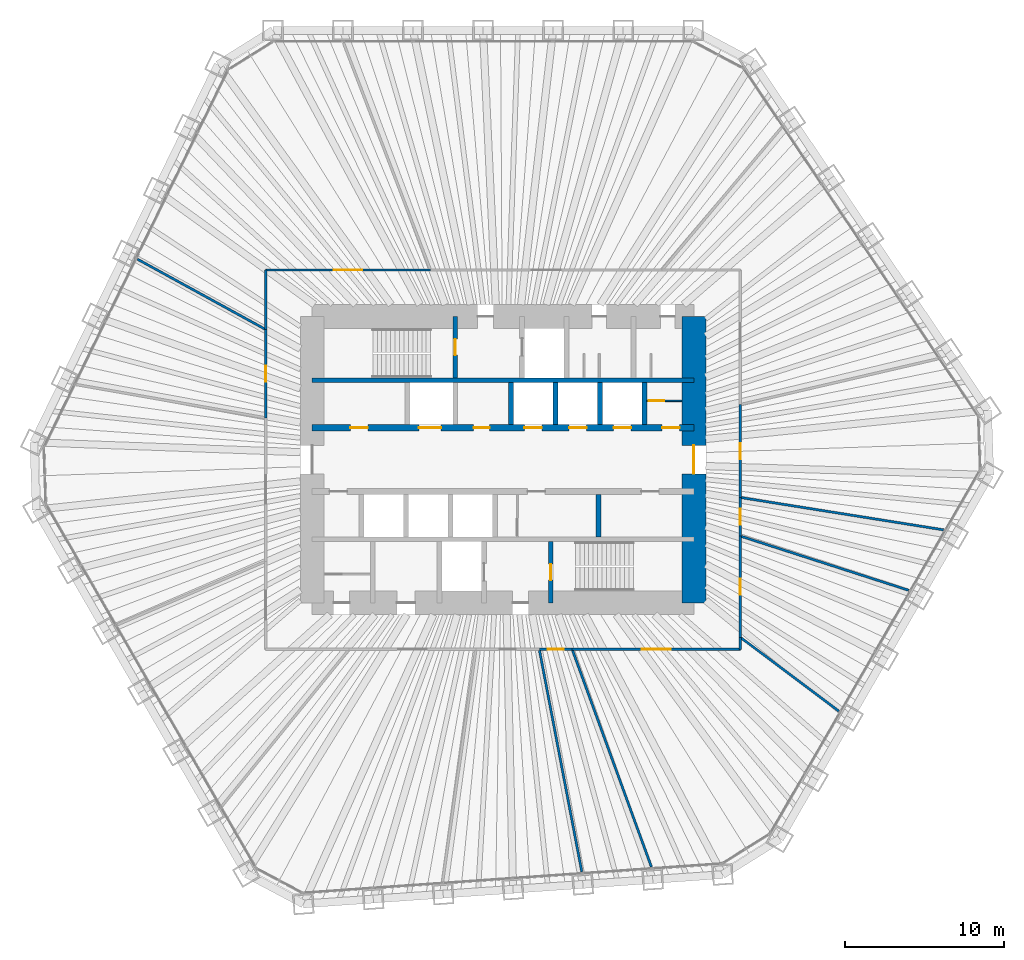
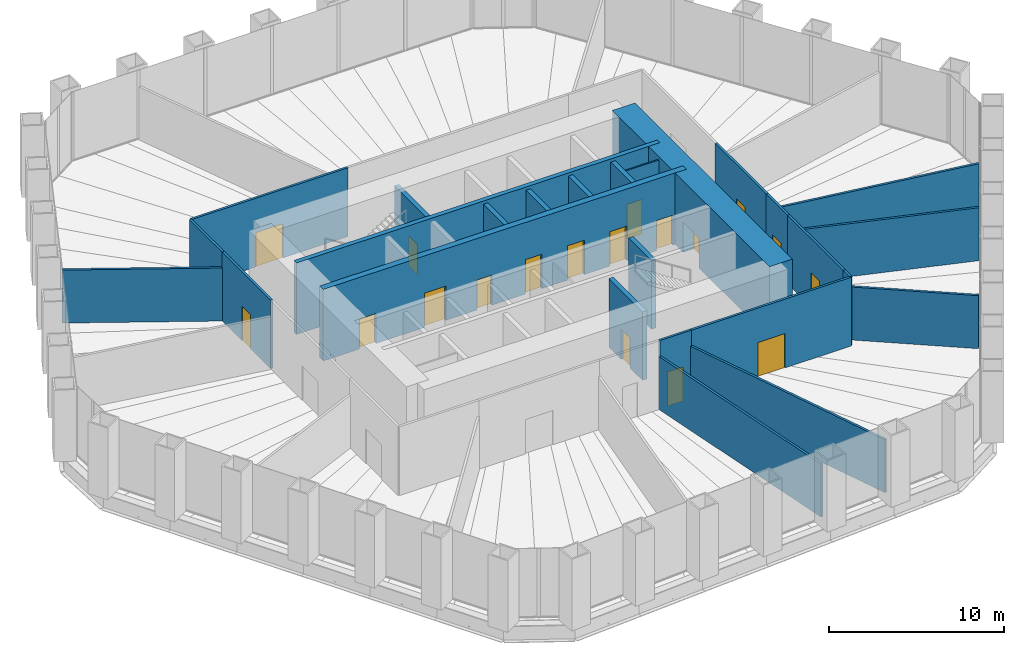
# One storey, part 11 of 13: 26 walls, 18 doors, 18 openings.
"""IFC4 building model written with IfcOpenShell, lengths in metres."""

import ifcopenshell
import ifcopenshell.guid

model = None  # the IFC model being written
_history = None  # IfcOwnerHistory: only IFC2X3 demands one
_inside = {}  # id of a spatial element -> (the spatial element, [elements in it])
_under = {}  # id of a project, library or spatial element -> (it, [spatial elements below it])
_declared = {}  # id of a project -> (the project, [libraries it declares])
_typed = {}  # id of a type object -> (the type object, [elements of that type])
_made_of = {}  # id of a material, layer set ... -> (it, [elements and type objects made of it])


def new_model(schema):
    """Start an empty IFC model of exactly this schema.

    Asked for "IFC4X3", IfcOpenShell would pick the latest addendum, in which some entities
    have other attributes; the version numbers below select the first issue.
    IFC2X3 requires an IfcOwnerHistory on every rooted entity: one is made here for all.
    """
    global model, _history
    if schema == "IFC4X3":
        model = ifcopenshell.file(schema_version=(4, 3, 0, 0))
    else:
        model = ifcopenshell.file(schema=schema)
    _inside.clear()
    _under.clear()
    _declared.clear()
    _typed.clear()
    _made_of.clear()
    _history = None
    if model.schema == "IFC2X3":
        org = make("IfcOrganization", Name="unknown")
        user = make(
            "IfcPersonAndOrganization",
            ThePerson=make("IfcPerson", FamilyName="unknown"),
            TheOrganization=org,
        )
        app = make(
            "IfcApplication",
            ApplicationDeveloper=org,
            Version="unknown",
            ApplicationFullName="unknown",
            ApplicationIdentifier="unknown",
        )
        _history = make(
            "IfcOwnerHistory",
            OwningUser=user,
            OwningApplication=app,
            ChangeAction="ADDED",
            CreationDate=0,
        )
    return model


def make(cls, **values):
    """One entity of the class cls with the attributes given. An attribute that is None is left unset."""
    return model.create_entity(
        cls, **{name: value for name, value in values.items() if value is not None}
    )


def rooted(cls, **values):
    """An entity with a GlobalId (a new one), such as an element, a storey or a relation."""
    return make(cls, GlobalId=ifcopenshell.guid.new(), OwnerHistory=_history, **values)


def si_unit(unit_type, name, prefix=None):
    """IfcSIUnit, for example si_unit("LENGTHUNIT", "METRE", prefix="MILLI")."""
    return make("IfcSIUnit", UnitType=unit_type, Prefix=prefix, Name=name)


def assignment(units):
    """IfcUnitAssignment: the units of a project."""
    return None if units is None else make("IfcUnitAssignment", Units=units)


def point(xyz):
    """IfcCartesianPoint."""
    return None if xyz is None else make("IfcCartesianPoint", Coordinates=xyz)


def direction(xyz):
    """IfcDirection."""
    return None if xyz is None else make("IfcDirection", DirectionRatios=xyz)


def frame(location, z_axis=None, x_axis=None):
    """IfcAxis2Placement3D, a coordinate frame: its origin and axes. An axis left out is left unset."""
    return make(
        "IfcAxis2Placement3D",
        Location=point(location),
        Axis=direction(z_axis),
        RefDirection=direction(x_axis),
    )


def frame_2d(location, x_axis=None):
    """IfcAxis2Placement2D, a coordinate frame in the plane: its origin and x axis."""
    return make(
        "IfcAxis2Placement2D", Location=point(location), RefDirection=direction(x_axis)
    )


def origin():
    """The frame at (0, 0, 0) with its axes left unset."""
    return frame((0.0, 0.0, 0.0))


def place(relative_to, where):
    """IfcLocalPlacement: puts the frame where relative to a parent placement (None: the world)."""
    return make(
        "IfcLocalPlacement", PlacementRelTo=relative_to, RelativePlacement=where
    )


def context(
    kind, dimensions, precision=None, world=None, true_north=None, identifier=None
):
    """IfcGeometricRepresentationContext, for example the 3D "Model" context."""
    return make(
        "IfcGeometricRepresentationContext",
        ContextIdentifier=identifier,
        ContextType=kind,
        CoordinateSpaceDimension=dimensions,
        Precision=precision,
        WorldCoordinateSystem=world,
        TrueNorth=true_north,
    )


def subcontext(parent, identifier, kind, view, scale=None):
    """IfcGeometricRepresentationSubContext, for example "Body" below "Model"."""
    return make(
        "IfcGeometricRepresentationSubContext",
        ContextIdentifier=identifier,
        ContextType=kind,
        ParentContext=parent,
        TargetScale=scale,
        TargetView=view,
    )


def project(units=None, contexts=None):
    """IfcProject with its units and contexts."""
    return rooted(
        "IfcProject",
        Name="project",
        RepresentationContexts=contexts,
        UnitsInContext=assignment(units),
    )


def spatial(cls, under=None, at=None, **own):
    """A site, building, storey or space (cls), placed at a placement, below another one or the project."""
    s = rooted(cls, ObjectPlacement=at, **own)
    if under is not None:
        _under.setdefault(under.id(), (under, []))[1].append(s)
    return s


def profile(cls, at=None, kind="AREA", **sizes):
    """A parametric profile (cls). Its sizes go by their IFC names, for example OverallWidth=200.0."""
    return make(cls, ProfileType=kind, Position=at, **sizes)


def rectangle(**sizes):
    """IfcRectangleProfileDef."""
    return profile("IfcRectangleProfileDef", **sizes)


def extrude(swept, where, along, depth):
    """IfcExtrudedAreaSolid: the profile swept, set in the frame where, extruded along a direction by depth."""
    return make(
        "IfcExtrudedAreaSolid",
        SweptArea=swept,
        Position=where,
        ExtrudedDirection=direction(along),
        Depth=depth,
    )


def shape(context_of_items, identifier, shape_type, items):
    """IfcShapeRepresentation: the items that make up one representation, for example the "Body"."""
    return make(
        "IfcShapeRepresentation",
        ContextOfItems=context_of_items,
        RepresentationIdentifier=identifier,
        RepresentationType=shape_type,
        Items=items,
    )


def material(Name=None, Category=None):
    """IfcMaterial."""
    return make("IfcMaterial", Name=Name, Category=Category)


def layer(
    of_material, thickness, ventilated=None, Name=None, Category=None, Priority=None
):
    """IfcMaterialLayer: one layer of a wall or slab, of a material (None: an air gap)."""
    return make(
        "IfcMaterialLayer",
        Material=of_material,
        LayerThickness=thickness,
        IsVentilated=ventilated,
        Name=Name,
        Category=Category,
        Priority=Priority,
    )


def layer_set(layers, Name=None):
    """IfcMaterialLayerSet."""
    return make("IfcMaterialLayerSet", MaterialLayers=layers, LayerSetName=Name)


def made_of(thing, what):
    """Note that an element or type object is made of a material, layer set ...; save() writes the relation."""
    if what is not None:
        _made_of.setdefault(what.id(), (what, []))[1].append(thing)
    return thing


def type_object(cls, material=None, **own):
    """A type object (cls), such as IfcWallType, which elements share."""
    return made_of(rooted(cls, **own), material)


def element(
    cls,
    number,
    at=None,
    inside=None,
    cuts=None,
    type_object=None,
    material=None,
    context=None,
    identifier="Body",
    shape_type=None,
    held_by="IfcProductDefinitionShape",
    body=None,
    shapes=None,
    **own,
):
    """One element of the class cls, such as IfcWall. Its Tag is "e" and its number.

    at: its placement. inside: the storey or other place that contains it. cuts: it is an
    opening in that element (IfcRelVoidsElement). A single representation is given by context,
    identifier, shape_type and body (its items); several are given by shapes. held_by: the class
    of the entity that holds the representations. save() writes the other relations.
    """
    e = rooted(cls, Tag="e%d" % number, ObjectPlacement=at, **own)
    if body is not None:
        shapes = [shape(context, identifier, shape_type, body)]
    if shapes is not None:
        e.Representation = make(held_by, Representations=shapes)
    if inside is not None:
        _inside.setdefault(inside.id(), (inside, []))[1].append(e)
    if cuts is not None:
        rooted(
            "IfcRelVoidsElement", RelatingBuildingElement=cuts, RelatedOpeningElement=e
        )
    if type_object is not None:
        _typed.setdefault(type_object.id(), (type_object, []))[1].append(e)
    return made_of(e, material)


def fill(opening, filler):
    """IfcRelFillsElement: the door or window that sits in an opening."""
    return rooted(
        "IfcRelFillsElement",
        RelatingOpeningElement=opening,
        RelatedBuildingElement=filler,
    )


def aggregate(whole, parts):
    """IfcRelAggregates: a whole, such as a stair, and the parts it consists of."""
    return rooted("IfcRelAggregates", RelatingObject=whole, RelatedObjects=parts)


def save(model, path):
    """Write the relations noted so far, then the file.

    IfcRelAggregates (storeys below a building ...), IfcRelContainedInSpatialStructure (elements
    in a storey), IfcRelDefinesByType, IfcRelAssociatesMaterial and IfcRelDeclares: one each for
    every whole, place, type object, material and project.
    """
    for whole, parts in _under.values():
        aggregate(whole, parts)
    for where, things in _inside.values():
        rooted(
            "IfcRelContainedInSpatialStructure",
            RelatedElements=things,
            RelatingStructure=where,
        )
    for kind, things in _typed.values():
        rooted("IfcRelDefinesByType", RelatedObjects=things, RelatingType=kind)
    for what, things in _made_of.values():
        rooted("IfcRelAssociatesMaterial", RelatedObjects=things, RelatingMaterial=what)
    for by, libraries in _declared.values():
        rooted("IfcRelDeclares", RelatingContext=by, RelatedDefinitions=libraries)
    model.write(path)


model = new_model("IFC4")

# Units and contexts
model_context = context("Model", 3, precision=1e-05, world=origin(), true_north=direction((0.0, 1.0)))
body_context = subcontext(model_context, "Body", "Model", "MODEL_VIEW")
ifc_project = project(units=[si_unit("LENGTHUNIT", "METRE"), si_unit("AREAUNIT", "SQUARE_METRE"), si_unit("VOLUMEUNIT", "CUBIC_METRE"), si_unit("PLANEANGLEUNIT", "RADIAN"), si_unit("MASSUNIT", "GRAM", prefix="KILO")], contexts=[model_context])

# Site, building, storey
site_placement = place(None, origin())
site = spatial("IfcSite", under=ifc_project, at=site_placement, CompositionType="ELEMENT")
building_placement = place(site_placement, origin())
building = spatial("IfcBuilding", under=site, at=building_placement, Name="Qingtian Harvest Tower", CompositionType="ELEMENT")
storey_placement = place(building_placement, frame((0.0, 0.0, 22.0)))
storey = spatial("IfcBuildingStorey", under=building, at=storey_placement, Name="L04", CompositionType="ELEMENT", Elevation=22.0)

# Wall
ifc_material_1 = material(Name="Concrete fc' 70 MPa", Category="concrete")
ifc_layer_1 = layer(ifc_material_1, 0.300048828125)
ifc_layer_set_1 = layer_set([ifc_layer_1], Name="Core inner wall RC5 300")
wall_type_1 = type_object("IfcWallType", Name="Core inner wall RC5 300", PredefinedType="SHEAR", material=ifc_layer_set_1)
wall_1_placement = place(storey_placement, frame((-12.0, 5.0, 0.0), z_axis=(0.0, 0.0, 1.0), x_axis=(1.0, 0.0, 0.0)))
element("IfcWall", 1, at=wall_1_placement, inside=storey, type_object=wall_type_1, Name="Core wall IN5 L04", PredefinedType="SHEAR", context=body_context, shape_type="SweptSolid", body=[
    extrude(rectangle(XDim=24.0, YDim=0.300048828125, at=frame_2d((12.0, 0.0))), origin(), (0.0, 0.0, 1.0), 5.0),
])

# Wall, openings, doors
ifc_material_2 = material(Name="Concrete fc' 70 MPa", Category="concrete")
ifc_layer_2 = layer(ifc_material_2, 0.39990234375)
ifc_layer_set_2 = layer_set([ifc_layer_2], Name="Core inner web RC6 400")
wall_type_2 = type_object("IfcWallType", Name="Core inner web RC6 400", PredefinedType="SHEAR", material=ifc_layer_set_2)
wall_2_placement = place(storey_placement, frame((-12.0, 2.0, 0.0), z_axis=(0.0, 0.0, 1.0), x_axis=(1.0, 0.0, 0.0)))
wall_2 = element("IfcWall", 2, at=wall_2_placement, inside=storey, type_object=wall_type_2, Name="Core wall IN2 L04", PredefinedType="SHEAR", context=body_context, shape_type="SweptSolid", body=[
    extrude(rectangle(XDim=24.0, YDim=0.39990234375, at=frame_2d((12.0, 0.0))), origin(), (0.0, 0.0, 1.0), 5.0),
])
opening_1_placement = place(wall_2_placement, frame((2.39990234375, 0.0, 0.0)))
opening_1 = element("IfcOpeningElement", 3, at=opening_1_placement, cuts=wall_2, Name="Opening FD4", PredefinedType="OPENING", context=body_context, shape_type="SweptSolid", body=[
    extrude(rectangle(XDim=1.10009765625, YDim=2.10009765625, at=frame_2d((0.550048828125, 1.050048828125))), frame((0.0, 0.2099609375, 0.0), z_axis=(0.0, -1.0, 0.0), x_axis=(1.0, 0.0, 0.0)), (0.0, 0.0, 1.0), 0.419921875),
])
opening_2_placement = place(wall_2_placement, frame((22.0, 0.0, 0.0)))
opening_2 = element("IfcOpeningElement", 4, at=opening_2_placement, cuts=wall_2, Name="Opening FD4", PredefinedType="OPENING", context=body_context, shape_type="SweptSolid", body=[
    extrude(rectangle(XDim=1.10009765625, YDim=2.10009765625, at=frame_2d((0.550048828125, 1.050048828125))), frame((0.0, 0.2099609375, 0.0), z_axis=(0.0, -1.0, 0.0), x_axis=(1.0, 0.0, 0.0)), (0.0, 0.0, 1.0), 0.419921875),
])
opening_3_placement = place(wall_2_placement, frame((10.14990234375, 0.0, 0.0)))
opening_3 = element("IfcOpeningElement", 5, at=opening_3_placement, cuts=wall_2, Name="Opening FD1", PredefinedType="OPENING", context=body_context, shape_type="SweptSolid", body=[
    extrude(rectangle(XDim=1.0, YDim=2.10009765625, at=frame_2d((0.5, 1.050048828125))), frame((0.0, 0.2099609375, 0.0), z_axis=(0.0, -1.0, 0.0), x_axis=(1.0, 0.0, 0.0)), (0.0, 0.0, 1.0), 0.419921875),
])
opening_4_placement = place(wall_2_placement, frame((6.699951171875, 0.0, 0.0)))
opening_4 = element("IfcOpeningElement", 6, at=opening_4_placement, cuts=wall_2, Name="Opening LD2", PredefinedType="OPENING", context=body_context, shape_type="SweptSolid", body=[
    extrude(rectangle(XDim=1.39990234375, YDim=2.39990234375, at=frame_2d((0.699951171875, 1.199951171875))), frame((0.0, 0.2099609375, 0.0), z_axis=(0.0, -1.0, 0.0), x_axis=(1.0, 0.0, 0.0)), (0.0, 0.0, 1.0), 0.419921875),
])
opening_5_placement = place(wall_2_placement, frame((13.35009765625, 0.0, 0.0)))
opening_5 = element("IfcOpeningElement", 7, at=opening_5_placement, cuts=wall_2, Name="Opening LD1", PredefinedType="OPENING", context=body_context, shape_type="SweptSolid", body=[
    extrude(rectangle(XDim=1.10009765625, YDim=2.39990234375, at=frame_2d((0.550048828125, 1.199951171875))), frame((0.0, 0.2099609375, 0.0), z_axis=(0.0, -1.0, 0.0), x_axis=(1.0, 0.0, 0.0)), (0.0, 0.0, 1.0), 0.419921875),
])
opening_6_placement = place(wall_2_placement, frame((16.14990234375, 0.0, 0.0)))
opening_6 = element("IfcOpeningElement", 8, at=opening_6_placement, cuts=wall_2, Name="Opening LD1", PredefinedType="OPENING", context=body_context, shape_type="SweptSolid", body=[
    extrude(rectangle(XDim=1.10009765625, YDim=2.39990234375, at=frame_2d((0.550048828125, 1.199951171875))), frame((0.0, 0.2099609375, 0.0), z_axis=(0.0, -1.0, 0.0), x_axis=(1.0, 0.0, 0.0)), (0.0, 0.0, 1.0), 0.419921875),
])
opening_7_placement = place(wall_2_placement, frame((18.949951171875, 0.0, 0.0)))
opening_7 = element("IfcOpeningElement", 9, at=opening_7_placement, cuts=wall_2, Name="Opening LD1", PredefinedType="OPENING", context=body_context, shape_type="SweptSolid", body=[
    extrude(rectangle(XDim=1.10009765625, YDim=2.39990234375, at=frame_2d((0.550048828125, 1.199951171875))), frame((0.0, 0.2099609375, 0.0), z_axis=(0.0, -1.0, 0.0), x_axis=(1.0, 0.0, 0.0)), (0.0, 0.0, 1.0), 0.419921875),
])
ifc_material_3 = material(Name="Steel-faced door leaf", Category="steel")
door_type_1 = type_object("IfcDoorType", Name="Fire door FD1 single 1 HR", OperationType="SINGLE_SWING_LEFT", PredefinedType="DOOR", material=ifc_material_3)
door_1_placement = place(opening_3_placement, origin())
door_1 = element("IfcDoor", 10, at=door_1_placement, inside=storey, type_object=door_type_1, Name="STA door L04", OperationType="SINGLE_SWING_RIGHT", OverallHeight=2.10009765625, OverallWidth=1.0, PredefinedType="DOOR", context=body_context, shape_type="SweptSolid", body=[
    extrude(rectangle(XDim=1.0, YDim=2.10009765625, at=frame_2d((0.5, 1.050048828125))), frame((0.0, 0.02490234375, 0.0), z_axis=(0.0, -1.0, 0.0), x_axis=(1.0, 0.0, 0.0)), (0.0, 0.0, 1.0), 0.050048828125),
])
fill(opening_3, door_1)
ifc_material_4 = material(Name="Steel-faced door leaf", Category="steel")
door_type_2 = type_object("IfcDoorType", Name="Fire door FD4 single 2 HR", OperationType="SINGLE_SWING_LEFT", PredefinedType="DOOR", material=ifc_material_4)
door_2_placement = place(opening_1_placement, origin())
door_2 = element("IfcDoor", 11, at=door_2_placement, inside=storey, type_object=door_type_2, Name="RA door L04", OperationType="SINGLE_SWING_LEFT", OverallHeight=2.10009765625, OverallWidth=1.10009765625, PredefinedType="DOOR", context=body_context, shape_type="SweptSolid", body=[
    extrude(rectangle(XDim=1.10009765625, YDim=2.10009765625, at=frame_2d((0.550048828125, 1.050048828125))), frame((0.0, 0.02490234375, 0.0), z_axis=(0.0, -1.0, 0.0), x_axis=(1.0, 0.0, 0.0)), (0.0, 0.0, 1.0), 0.050048828125),
])
fill(opening_1, door_2)
door_3_placement = place(opening_2_placement, origin())
door_3 = element("IfcDoor", 12, at=door_3_placement, inside=storey, type_object=door_type_2, Name="AHU door L04", OperationType="SINGLE_SWING_LEFT", OverallHeight=2.10009765625, OverallWidth=1.10009765625, PredefinedType="DOOR", context=body_context, shape_type="SweptSolid", body=[
    extrude(rectangle(XDim=1.10009765625, YDim=2.10009765625, at=frame_2d((0.550048828125, 1.050048828125))), frame((0.0, 0.02490234375, 0.0), z_axis=(0.0, -1.0, 0.0), x_axis=(1.0, 0.0, 0.0)), (0.0, 0.0, 1.0), 0.050048828125),
])
fill(opening_2, door_3)
ifc_material_5 = material(Name="Stainless steel lift landing door", Category="steel")
door_type_3 = type_object("IfcDoorType", Name="Goods lift landing door LD2 1 HR", OperationType="DOUBLE_DOOR_SLIDING", PredefinedType="DOOR", material=ifc_material_5)
door_4_placement = place(opening_4_placement, origin())
door_4 = element("IfcDoor", 13, at=door_4_placement, inside=storey, type_object=door_type_3, Name="GL1 landing door L04", OperationType="DOUBLE_DOOR_SLIDING", OverallHeight=2.39990234375, OverallWidth=1.39990234375, PredefinedType="DOOR", context=body_context, shape_type="SweptSolid", body=[
    extrude(rectangle(XDim=1.39990234375, YDim=2.39990234375, at=frame_2d((0.699951171875, 1.199951171875))), frame((0.0, 0.02490234375, 0.0), z_axis=(0.0, -1.0, 0.0), x_axis=(1.0, 0.0, 0.0)), (0.0, 0.0, 1.0), 0.050048828125),
])
fill(opening_4, door_4)
ifc_material_6 = material(Name="Stainless steel lift landing door", Category="steel")
door_type_4 = type_object("IfcDoorType", Name="Lift landing door LD1 1 HR", OperationType="DOUBLE_DOOR_SLIDING", PredefinedType="DOOR", material=ifc_material_6)
door_5_placement = place(opening_5_placement, origin())
door_5 = element("IfcDoor", 14, at=door_5_placement, inside=storey, type_object=door_type_4, Name="PLA1 landing door L04", OperationType="DOUBLE_DOOR_SLIDING", OverallHeight=2.39990234375, OverallWidth=1.10009765625, PredefinedType="DOOR", context=body_context, shape_type="SweptSolid", body=[
    extrude(rectangle(XDim=1.10009765625, YDim=2.39990234375, at=frame_2d((0.550048828125, 1.199951171875))), frame((0.0, 0.02490234375, 0.0), z_axis=(0.0, -1.0, 0.0), x_axis=(1.0, 0.0, 0.0)), (0.0, 0.0, 1.0), 0.050048828125),
])
fill(opening_5, door_5)
door_6_placement = place(opening_6_placement, origin())
door_6 = element("IfcDoor", 15, at=door_6_placement, inside=storey, type_object=door_type_4, Name="PLA2 landing door L04", OperationType="DOUBLE_DOOR_SLIDING", OverallHeight=2.39990234375, OverallWidth=1.10009765625, PredefinedType="DOOR", context=body_context, shape_type="SweptSolid", body=[
    extrude(rectangle(XDim=1.10009765625, YDim=2.39990234375, at=frame_2d((0.550048828125, 1.199951171875))), frame((0.0, 0.02490234375, 0.0), z_axis=(0.0, -1.0, 0.0), x_axis=(1.0, 0.0, 0.0)), (0.0, 0.0, 1.0), 0.050048828125),
])
fill(opening_6, door_6)
door_7_placement = place(opening_7_placement, origin())
door_7 = element("IfcDoor", 16, at=door_7_placement, inside=storey, type_object=door_type_4, Name="PLA3 landing door L04", OperationType="DOUBLE_DOOR_SLIDING", OverallHeight=2.39990234375, OverallWidth=1.10009765625, PredefinedType="DOOR", context=body_context, shape_type="SweptSolid", body=[
    extrude(rectangle(XDim=1.10009765625, YDim=2.39990234375, at=frame_2d((0.550048828125, 1.199951171875))), frame((0.0, 0.02490234375, 0.0), z_axis=(0.0, -1.0, 0.0), x_axis=(1.0, 0.0, 0.0)), (0.0, 0.0, 1.0), 0.050048828125),
])
fill(opening_7, door_7)

# Wall, opening, door
ifc_material_7 = material(Name="Precast concrete shaft panel", Category="concrete")
ifc_layer_3 = layer(ifc_material_7, 0.300048828125)
ifc_layer_set_3 = layer_set([ifc_layer_3], Name="Core shaft partition SW1 300")
wall_type_3 = type_object("IfcWallType", Name="Core shaft partition SW1 300", PredefinedType="PARTITIONING", material=ifc_layer_set_3)
wall_3_placement = place(storey_placement, frame((-3.0, 5.14990234375, 0.0), z_axis=(0.0, 0.0, 1.0), x_axis=(0.0, 1.0, 0.0)))
wall_3 = element("IfcWall", 17, at=wall_3_placement, inside=storey, type_object=wall_type_3, Name="Core shaft partition XN1 L04", PredefinedType="PARTITIONING", context=body_context, shape_type="SweptSolid", body=[
    extrude(rectangle(XDim=3.85009765625, YDim=0.300048828125, at=frame_2d((1.925048828125, 0.0))), origin(), (0.0, 0.0, 1.0), 4.780029296875),
])
opening_8_placement = place(wall_3_placement, frame((1.425048828125, 0.0, 0.0)))
opening_8 = element("IfcOpeningElement", 18, at=opening_8_placement, cuts=wall_3, Name="Opening FD1", PredefinedType="OPENING", context=body_context, shape_type="SweptSolid", body=[
    extrude(rectangle(XDim=1.0, YDim=2.10009765625, at=frame_2d((0.5, 1.050048828125))), frame((0.0, 0.159912109375, 0.0), z_axis=(0.0, -1.0, 0.0), x_axis=(1.0, 0.0, 0.0)), (0.0, 0.0, 1.0), 0.320068359375),
])
door_8_placement = place(opening_8_placement, origin())
door_8 = element("IfcDoor", 19, at=door_8_placement, inside=storey, type_object=door_type_1, Name="S1 door L04", OperationType="SINGLE_SWING_LEFT", OverallHeight=2.10009765625, OverallWidth=1.0, PredefinedType="DOOR", context=body_context, shape_type="SweptSolid", body=[
    extrude(rectangle(XDim=1.0, YDim=2.10009765625, at=frame_2d((0.5, 1.050048828125))), frame((0.0, 0.02490234375, 0.0), z_axis=(0.0, -1.0, 0.0), x_axis=(1.0, 0.0, 0.0)), (0.0, 0.0, 1.0), 0.050048828125),
])
fill(opening_8, door_8)

# Walls
for number, where, z_axis, x_axis, name in (
    (20, (0.5, 2.199951171875, 0.0), (0.0, 0.0, 1.0), (0.0, 1.0, 0.0), "Core shaft partition XA3 L04"),
    (21, (3.300048828125, 2.199951171875, 0.0), (0.0, 0.0, 1.0), (0.0, 1.0, 0.0), "Core shaft partition XA4 L04"),
    (22, (6.10009765625, 2.199951171875, 0.0), (0.0, 0.0, 1.0), (0.0, 1.0, 0.0), "Core shaft partition XA5 L04"),
    (23, (8.89990234375, 2.199951171875, 0.0), (0.0, 0.0, 1.0), (0.0, 1.0, 0.0), "Core shaft partition XA6 L04"),
    (24, (6.0, -4.85009765625, 0.0), (0.0, 0.0, 1.0), (0.0, 1.0, 0.0), "Core shaft partition XB5 L04"),
):
    element("IfcWall", number, at=place(storey_placement, frame(where, z_axis=z_axis, x_axis=x_axis)), inside=storey, type_object=wall_type_3, Name=name, PredefinedType="PARTITIONING", context=body_context, shape_type="SweptSolid", body=[
        extrude(rectangle(XDim=2.650146484375, YDim=0.300048828125, at=frame_2d((1.3251953125, 0.0))), origin(), (0.0, 0.0, 1.0), 4.780029296875),
    ])

# Wall, opening, door
wall_4_placement = place(storey_placement, frame((3.0, -9.0, 0.0), z_axis=(0.0, 0.0, 1.0), x_axis=(0.0, 1.0, 0.0)))
wall_4 = element("IfcWall", 25, at=wall_4_placement, inside=storey, type_object=wall_type_3, Name="Core shaft partition XS4 L04", PredefinedType="PARTITIONING", context=body_context, shape_type="SweptSolid", body=[
    extrude(rectangle(XDim=3.85009765625, YDim=0.300048828125, at=frame_2d((1.925048828125, 0.0))), origin(), (0.0, 0.0, 1.0), 4.780029296875),
])
opening_9_placement = place(wall_4_placement, frame((1.425048828125, 0.0, 0.0)))
opening_9 = element("IfcOpeningElement", 26, at=opening_9_placement, cuts=wall_4, Name="Opening FD1", PredefinedType="OPENING", context=body_context, shape_type="SweptSolid", body=[
    extrude(rectangle(XDim=1.0, YDim=2.10009765625, at=frame_2d((0.5, 1.050048828125))), frame((0.0, 0.159912109375, 0.0), z_axis=(0.0, -1.0, 0.0), x_axis=(1.0, 0.0, 0.0)), (0.0, 0.0, 1.0), 0.320068359375),
])
door_9_placement = place(opening_9_placement, origin())
door_9 = element("IfcDoor", 27, at=door_9_placement, inside=storey, type_object=door_type_1, Name="S2 door L04", OperationType="SINGLE_SWING_RIGHT", OverallHeight=2.10009765625, OverallWidth=1.0, PredefinedType="DOOR", context=body_context, shape_type="SweptSolid", body=[
    extrude(rectangle(XDim=1.0, YDim=2.10009765625, at=frame_2d((0.5, 1.050048828125))), frame((0.0, 0.02490234375, 0.0), z_axis=(0.0, -1.0, 0.0), x_axis=(1.0, 0.0, 0.0)), (0.0, 0.0, 1.0), 0.050048828125),
])
fill(opening_9, door_9)

ifc_material_8 = material(Name="Concrete fc' 70 MPa", Category="concrete")
ifc_layer_4 = layer(ifc_material_8, 1.5)
ifc_layer_set_4 = layer_set([ifc_layer_4], Name="Core wall RC1 1500")
wall_type_4 = type_object("IfcWallType", Name="Core wall RC1 1500", PredefinedType="SHEAR", material=ifc_layer_set_4)
wall_5_placement = place(storey_placement, frame((12.0, -9.0, 0.0), z_axis=(0.0, 0.0, 1.0), x_axis=(0.0, 1.0, 0.0)))
wall_5 = element("IfcWall", 28, at=wall_5_placement, inside=storey, type_object=wall_type_4, Name="Core wall CE L04", PredefinedType="SHEAR", context=body_context, shape_type="SweptSolid", body=[
    extrude(rectangle(XDim=18.0, YDim=1.5, at=frame_2d((9.0, 0.0))), origin(), (0.0, 0.0, 1.0), 5.0),
])
opening_10_placement = place(wall_5_placement, frame((8.10009765625, 0.0, 0.0)))
opening_10 = element("IfcOpeningElement", 29, at=opening_10_placement, cuts=wall_5, Name="Opening FD2", PredefinedType="OPENING", context=body_context, shape_type="SweptSolid", body=[
    extrude(rectangle(XDim=1.800048828125, YDim=2.10009765625, at=frame_2d((0.89990234375, 1.050048828125))), frame((0.0, 0.760009765625, 0.0), z_axis=(0.0, -1.0, 0.0), x_axis=(1.0, 0.0, 0.0)), (0.0, 0.0, 1.0), 1.52001953125),
])
ifc_material_9 = material(Name="Steel-faced door leaf", Category="steel")
door_type_5 = type_object("IfcDoorType", Name="Fire door FD2 double 1 HR", OperationType="DOUBLE_DOOR_DOUBLE_SWING", PredefinedType="DOOR", material=ifc_material_9)
door_10_placement = place(opening_10_placement, origin())
door_10 = element("IfcDoor", 30, at=door_10_placement, inside=storey, type_object=door_type_5, Name="LOBBY-E door L04", OperationType="DOUBLE_DOOR_DOUBLE_SWING", OverallHeight=2.10009765625, OverallWidth=1.800048828125, PredefinedType="DOOR", context=body_context, shape_type="SweptSolid", body=[
    extrude(rectangle(XDim=1.800048828125, YDim=2.10009765625, at=frame_2d((0.89990234375, 1.050048828125))), frame((0.0, 0.02490234375, 0.0), z_axis=(0.0, -1.0, 0.0), x_axis=(1.0, 0.0, 0.0)), (0.0, 0.0, 1.0), 0.050048828125),
])
fill(opening_10, door_10)

ifc_material_10 = material(Name="Gypsum board on steel studs", Category="steel")
ifc_layer_5 = layer(ifc_material_10, 0.14990234375)
ifc_layer_set_5 = layer_set([ifc_layer_5], Name="Partition PT1 150")
wall_type_5 = type_object("IfcWallType", Name="Partition PT1 150", PredefinedType="PARTITIONING", material=ifc_layer_set_5)
wall_6_placement = place(storey_placement, frame((-14.925048828125, 2.626220703125, 0.0), z_axis=(0.0, 0.0, 1.0), x_axis=(0.0, 1.0, 0.0)))
wall_6 = element("IfcWall", 31, at=wall_6_placement, inside=storey, type_object=wall_type_5, Name="Seminar room wall L04", PredefinedType="PARTITIONING", context=body_context, shape_type="SweptSolid", body=[
    extrude(rectangle(XDim=5.557861328125, YDim=0.14990234375, at=frame_2d((2.77880859375, 0.0))), origin(), (0.0, 0.0, 1.0), 4.800048828125),
])
opening_11_placement = place(wall_6_placement, frame((2.27880859375, 0.0, 0.0)))
opening_11 = element("IfcOpeningElement", 32, at=opening_11_placement, cuts=wall_6, Name="Opening D2", PredefinedType="OPENING", context=body_context, shape_type="SweptSolid", body=[
    extrude(rectangle(XDim=1.0, YDim=2.39990234375, at=frame_2d((0.5, 1.199951171875))), frame((0.0, 0.0849609375, 0.0), z_axis=(0.0, -1.0, 0.0), x_axis=(1.0, 0.0, 0.0)), (0.0, 0.0, 1.0), 0.169921875),
])
ifc_material_11 = material(Name="Laminated timber door leaf", Category="wood")
door_type_6 = type_object("IfcDoorType", Name="Room door D2 single", OperationType="SINGLE_SWING_LEFT", PredefinedType="DOOR", material=ifc_material_11)
door_11_placement = place(opening_11_placement, origin())
door_11 = element("IfcDoor", 33, at=door_11_placement, inside=storey, type_object=door_type_6, Name="Seminar room door L04", OperationType="SINGLE_SWING_LEFT", OverallHeight=2.39990234375, OverallWidth=1.0, PredefinedType="DOOR", context=body_context, shape_type="SweptSolid", body=[
    extrude(rectangle(XDim=1.0, YDim=2.39990234375, at=frame_2d((0.5, 1.199951171875))), frame((0.0, 0.02490234375, 0.0), z_axis=(0.0, -1.0, 0.0), x_axis=(1.0, 0.0, 0.0)), (0.0, 0.0, 1.0), 0.050048828125),
])
fill(opening_11, door_11)

# Walls
wall_7_placement = place(storey_placement, frame((-22.999267578125, 12.611572265625, 0.0), z_axis=(0.0, 0.0, 1.0), x_axis=(0.876826470608, -0.480806967963, 0.0)))
element("IfcWall", 34, at=wall_7_placement, inside=storey, type_object=wall_type_5, Name="Microgreens growing room wall L04", PredefinedType="PARTITIONING", context=body_context, shape_type="SweptSolid", body=[
    extrude(rectangle(XDim=9.20849609375, YDim=0.14990234375, at=frame_2d((4.604248046875, 0.0))), origin(), (0.0, 0.0, 1.0), 3.699951171875),
])
wall_8_placement = place(storey_placement, frame((-14.925048828125, 8.18408203125, 0.0), z_axis=(0.0, 0.0, 1.0), x_axis=(0.0, 1.0, 0.0)))
element("IfcWall", 35, at=wall_8_placement, inside=storey, type_object=wall_type_5, Name="Microgreens growing room wall L04", PredefinedType="PARTITIONING", context=body_context, shape_type="SweptSolid", body=[
    extrude(rectangle(XDim=3.740966796875, YDim=0.14990234375, at=frame_2d((1.87060546875, 0.0))), origin(), (0.0, 0.0, 1.0), 4.800048828125),
])

# Wall, opening, door
wall_9_placement = place(storey_placement, frame((-14.925048828125, 11.925048828125, 0.0), z_axis=(0.0, 0.0, 1.0), x_axis=(1.0, 0.0, 0.0)))
wall_9 = element("IfcWall", 36, at=wall_9_placement, inside=storey, type_object=wall_type_5, Name="Microgreens growing room wall L04", PredefinedType="PARTITIONING", context=body_context, shape_type="SweptSolid", body=[
    extrude(rectangle(XDim=10.360595703125, YDim=0.14990234375, at=frame_2d((5.18017578125, 0.0))), origin(), (0.0, 0.0, 1.0), 4.800048828125),
])
opening_12_placement = place(wall_9_placement, frame((4.2802734375, 0.0, 0.0)))
opening_12 = element("IfcOpeningElement", 37, at=opening_12_placement, cuts=wall_9, Name="Opening D3", PredefinedType="OPENING", context=body_context, shape_type="SweptSolid", body=[
    extrude(rectangle(XDim=1.800048828125, YDim=2.39990234375, at=frame_2d((0.89990234375, 1.199951171875))), frame((0.0, 0.0849609375, 0.0), z_axis=(0.0, -1.0, 0.0), x_axis=(1.0, 0.0, 0.0)), (0.0, 0.0, 1.0), 0.169921875),
])
ifc_material_12 = material(Name="Laminated timber door leaf", Category="wood")
door_type_7 = type_object("IfcDoorType", Name="Room door D3 double", OperationType="DOUBLE_DOOR_DOUBLE_SWING", PredefinedType="DOOR", material=ifc_material_12)
door_12_placement = place(opening_12_placement, origin())
door_12 = element("IfcDoor", 38, at=door_12_placement, inside=storey, type_object=door_type_7, Name="Microgreens growing room door L04", OperationType="DOUBLE_DOOR_DOUBLE_SWING", OverallHeight=2.39990234375, OverallWidth=1.800048828125, PredefinedType="DOOR", context=body_context, shape_type="SweptSolid", body=[
    extrude(rectangle(XDim=1.800048828125, YDim=2.39990234375, at=frame_2d((0.89990234375, 1.199951171875))), frame((0.0, 0.02490234375, 0.0), z_axis=(0.0, -1.0, 0.0), x_axis=(1.0, 0.0, 0.0)), (0.0, 0.0, 1.0), 0.050048828125),
])
fill(opening_12, door_12)

wall_10_placement = place(storey_placement, frame((14.925048828125, 3.460693359375, 0.0), z_axis=(0.0, 0.0, 1.0), x_axis=(0.0, -1.0, 0.0)))
wall_10 = element("IfcWall", 39, at=wall_10_placement, inside=storey, type_object=wall_type_5, Name="Herb growing room wall L04", PredefinedType="PARTITIONING", context=body_context, shape_type="SweptSolid", body=[
    extrude(rectangle(XDim=5.839111328125, YDim=0.14990234375, at=frame_2d((2.91943359375, 0.0))), origin(), (0.0, 0.0, 1.0), 4.800048828125),
])
opening_13_placement = place(wall_10_placement, frame((2.419677734375, 0.0, 0.0)))
opening_13 = element("IfcOpeningElement", 40, at=opening_13_placement, cuts=wall_10, Name="Opening D2", PredefinedType="OPENING", context=body_context, shape_type="SweptSolid", body=[
    extrude(rectangle(XDim=1.0, YDim=2.39990234375, at=frame_2d((0.5, 1.199951171875))), frame((0.0, 0.0849609375, 0.0), z_axis=(0.0, -1.0, 0.0), x_axis=(1.0, 0.0, 0.0)), (0.0, 0.0, 1.0), 0.169921875),
])
door_13_placement = place(opening_13_placement, origin())
door_13 = element("IfcDoor", 41, at=door_13_placement, inside=storey, type_object=door_type_6, Name="Herb growing room door L04", OperationType="SINGLE_SWING_RIGHT", OverallHeight=2.39990234375, OverallWidth=1.0, PredefinedType="DOOR", context=body_context, shape_type="SweptSolid", body=[
    extrude(rectangle(XDim=1.0, YDim=2.39990234375, at=frame_2d((0.5, 1.199951171875))), frame((0.0, 0.02490234375, 0.0), z_axis=(0.0, -1.0, 0.0), x_axis=(1.0, 0.0, 0.0)), (0.0, 0.0, 1.0), 0.050048828125),
])
fill(opening_13, door_13)

# Wall
wall_11_placement = place(storey_placement, frame((27.711181640625, -4.416015625, 0.0), z_axis=(0.0, 0.0, 1.0), x_axis=(-0.987539045088, 0.157374186021, 0.0)))
element("IfcWall", 42, at=wall_11_placement, inside=storey, type_object=wall_type_5, Name="Gowning room wall L04", PredefinedType="PARTITIONING", context=body_context, shape_type="SweptSolid", body=[
    extrude(rectangle(XDim=12.947509765625, YDim=0.14990234375, at=frame_2d((6.4736328125, 0.0))), origin(), (0.0, 0.0, 1.0), 3.699951171875),
])

# Wall, opening, door
wall_12_placement = place(storey_placement, frame((14.925048828125, -2.37841796875, 0.0), z_axis=(0.0, 0.0, 1.0), x_axis=(0.0, -1.0, 0.0)))
wall_12 = element("IfcWall", 43, at=wall_12_placement, inside=storey, type_object=wall_type_5, Name="Gowning room wall L04", PredefinedType="PARTITIONING", context=body_context, shape_type="SweptSolid", body=[
    extrude(rectangle(XDim=2.427734375, YDim=0.14990234375, at=frame_2d((1.2138671875, 0.0))), origin(), (0.0, 0.0, 1.0), 4.800048828125),
])
opening_14_placement = place(wall_12_placement, frame((0.7138671875, 0.0, 0.0)))
opening_14 = element("IfcOpeningElement", 44, at=opening_14_placement, cuts=wall_12, Name="Opening D2", PredefinedType="OPENING", context=body_context, shape_type="SweptSolid", body=[
    extrude(rectangle(XDim=1.0, YDim=2.39990234375, at=frame_2d((0.5, 1.199951171875))), frame((0.0, 0.0849609375, 0.0), z_axis=(0.0, -1.0, 0.0), x_axis=(1.0, 0.0, 0.0)), (0.0, 0.0, 1.0), 0.169921875),
])
door_14_placement = place(opening_14_placement, origin())
door_14 = element("IfcDoor", 45, at=door_14_placement, inside=storey, type_object=door_type_6, Name="Gowning room door L04", OperationType="SINGLE_SWING_RIGHT", OverallHeight=2.39990234375, OverallWidth=1.0, PredefinedType="DOOR", context=body_context, shape_type="SweptSolid", body=[
    extrude(rectangle(XDim=1.0, YDim=2.39990234375, at=frame_2d((0.5, 1.199951171875))), frame((0.0, 0.02490234375, 0.0), z_axis=(0.0, -1.0, 0.0), x_axis=(1.0, 0.0, 0.0)), (0.0, 0.0, 1.0), 0.050048828125),
])
fill(opening_14, door_14)

# Wall
wall_13_placement = place(storey_placement, frame((25.512451171875, -8.215576171875, 0.0), z_axis=(0.0, 0.0, 1.0), x_axis=(-0.951862620244, 0.306524961761, 0.0)))
element("IfcWall", 46, at=wall_13_placement, inside=storey, type_object=wall_type_5, Name="Grower training room wall L04", PredefinedType="PARTITIONING", context=body_context, shape_type="SweptSolid", body=[
    extrude(rectangle(XDim=11.122802734375, YDim=0.14990234375, at=frame_2d((5.5615234375, 0.0))), origin(), (0.0, 0.0, 1.0), 3.699951171875),
])

# Wall, opening, door
wall_14_placement = place(storey_placement, frame((14.925048828125, -4.80615234375, 0.0), z_axis=(0.0, 0.0, 1.0), x_axis=(0.0, -1.0, 0.0)))
wall_14 = element("IfcWall", 47, at=wall_14_placement, inside=storey, type_object=wall_type_5, Name="Grower training room wall L04", PredefinedType="PARTITIONING", context=body_context, shape_type="SweptSolid", body=[
    extrude(rectangle(XDim=6.36865234375, YDim=0.14990234375, at=frame_2d((3.184326171875, 0.0))), origin(), (0.0, 0.0, 1.0), 4.800048828125),
])
opening_15_placement = place(wall_14_placement, frame((2.684326171875, 0.0, 0.0)))
opening_15 = element("IfcOpeningElement", 48, at=opening_15_placement, cuts=wall_14, Name="Opening D2", PredefinedType="OPENING", context=body_context, shape_type="SweptSolid", body=[
    extrude(rectangle(XDim=1.0, YDim=2.39990234375, at=frame_2d((0.5, 1.199951171875))), frame((0.0, 0.0849609375, 0.0), z_axis=(0.0, -1.0, 0.0), x_axis=(1.0, 0.0, 0.0)), (0.0, 0.0, 1.0), 0.169921875),
])
door_15_placement = place(opening_15_placement, origin())
door_15 = element("IfcDoor", 49, at=door_15_placement, inside=storey, type_object=door_type_6, Name="Grower training room door L04", OperationType="SINGLE_SWING_RIGHT", OverallHeight=2.39990234375, OverallWidth=1.0, PredefinedType="DOOR", context=body_context, shape_type="SweptSolid", body=[
    extrude(rectangle(XDim=1.0, YDim=2.39990234375, at=frame_2d((0.5, 1.199951171875))), frame((0.0, 0.02490234375, 0.0), z_axis=(0.0, -1.0, 0.0), x_axis=(1.0, 0.0, 0.0)), (0.0, 0.0, 1.0), 0.050048828125),
])
fill(opening_15, door_15)

# Walls
wall_15_placement = place(storey_placement, frame((21.123046875, -15.8154296875, 0.0), z_axis=(0.0, 0.0, 1.0), x_axis=(-0.800487841468, 0.59934899321, 0.0)))
element("IfcWall", 50, at=wall_15_placement, inside=storey, type_object=wall_type_5, Name="Packing room wall L04", PredefinedType="PARTITIONING", context=body_context, shape_type="SweptSolid", body=[
    extrude(rectangle(XDim=7.74267578125, YDim=0.14990234375, at=frame_2d((3.871337890625, 0.0))), origin(), (0.0, 0.0, 1.0), 3.699951171875),
])
wall_16_placement = place(storey_placement, frame((14.925048828125, -11.1748046875, 0.0), z_axis=(0.0, 0.0, 1.0), x_axis=(0.0, -1.0, 0.0)))
element("IfcWall", 51, at=wall_16_placement, inside=storey, type_object=wall_type_5, Name="Packing room wall L04", PredefinedType="PARTITIONING", context=body_context, shape_type="SweptSolid", body=[
    extrude(rectangle(XDim=0.750244140625, YDim=0.14990234375, at=frame_2d((0.375, 0.0))), origin(), (0.0, 0.0, 1.0), 4.800048828125),
])

# Wall, opening, door
wall_17_placement = place(storey_placement, frame((14.925048828125, -11.925048828125, 0.0), z_axis=(0.0, 0.0, 1.0), x_axis=(-1.0, 0.0, 0.0)))
wall_17 = element("IfcWall", 52, at=wall_17_placement, inside=storey, type_object=wall_type_5, Name="Packing room wall L04", PredefinedType="PARTITIONING", context=body_context, shape_type="SweptSolid", body=[
    extrude(rectangle(XDim=10.579833984375, YDim=0.14990234375, at=frame_2d((5.2900390625, 0.0))), origin(), (0.0, 0.0, 1.0), 4.800048828125),
])
opening_16_placement = place(wall_17_placement, frame((4.389892578125, 0.0, 0.0)))
opening_16 = element("IfcOpeningElement", 53, at=opening_16_placement, cuts=wall_17, Name="Opening D3", PredefinedType="OPENING", context=body_context, shape_type="SweptSolid", body=[
    extrude(rectangle(XDim=1.800048828125, YDim=2.39990234375, at=frame_2d((0.89990234375, 1.199951171875))), frame((0.0, 0.0849609375, 0.0), z_axis=(0.0, -1.0, 0.0), x_axis=(1.0, 0.0, 0.0)), (0.0, 0.0, 1.0), 0.169921875),
])
door_16_placement = place(opening_16_placement, origin())
door_16 = element("IfcDoor", 54, at=door_16_placement, inside=storey, type_object=door_type_7, Name="Packing room door L04", OperationType="DOUBLE_DOOR_DOUBLE_SWING", OverallHeight=2.39990234375, OverallWidth=1.800048828125, PredefinedType="DOOR", context=body_context, shape_type="SweptSolid", body=[
    extrude(rectangle(XDim=1.800048828125, YDim=2.39990234375, at=frame_2d((0.89990234375, 1.199951171875))), frame((0.0, 0.02490234375, 0.0), z_axis=(0.0, -1.0, 0.0), x_axis=(1.0, 0.0, 0.0)), (0.0, 0.0, 1.0), 0.050048828125),
])
fill(opening_16, door_16)

# Wall
wall_18_placement = place(storey_placement, frame((9.33349609375, -25.615234375, 0.0), z_axis=(0.0, 0.0, 1.0), x_axis=(-0.342351086478, 0.939572101324, 0.0)))
element("IfcWall", 55, at=wall_18_placement, inside=storey, type_object=wall_type_5, Name="Nutrient dosing room wall L04", PredefinedType="PARTITIONING", context=body_context, shape_type="SweptSolid", body=[
    extrude(rectangle(XDim=14.570556640625, YDim=0.14990234375, at=frame_2d((7.28515625, 0.0))), origin(), (0.0, 0.0, 1.0), 3.699951171875),
])

# Wall, opening, door
wall_19_placement = place(storey_placement, frame((4.34521484375, -11.925048828125, 0.0), z_axis=(0.0, 0.0, 1.0), x_axis=(-1.0, 0.0, 0.0)))
wall_19 = element("IfcWall", 56, at=wall_19_placement, inside=storey, type_object=wall_type_5, Name="Nutrient dosing room wall L04", PredefinedType="PARTITIONING", context=body_context, shape_type="SweptSolid", body=[
    extrude(rectangle(XDim=2.0654296875, YDim=0.14990234375, at=frame_2d((1.03271484375, 0.0))), origin(), (0.0, 0.0, 1.0), 4.800048828125),
])
opening_17_placement = place(wall_19_placement, frame((0.53271484375, 0.0, 0.0)))
opening_17 = element("IfcOpeningElement", 57, at=opening_17_placement, cuts=wall_19, Name="Opening D2", PredefinedType="OPENING", context=body_context, shape_type="SweptSolid", body=[
    extrude(rectangle(XDim=1.0, YDim=2.39990234375, at=frame_2d((0.5, 1.199951171875))), frame((0.0, 0.0849609375, 0.0), z_axis=(0.0, -1.0, 0.0), x_axis=(1.0, 0.0, 0.0)), (0.0, 0.0, 1.0), 0.169921875),
])
door_17_placement = place(opening_17_placement, origin())
door_17 = element("IfcDoor", 58, at=door_17_placement, inside=storey, type_object=door_type_6, Name="Nutrient dosing room door L04", OperationType="SINGLE_SWING_RIGHT", OverallHeight=2.39990234375, OverallWidth=1.0, PredefinedType="DOOR", context=body_context, shape_type="SweptSolid", body=[
    extrude(rectangle(XDim=1.0, YDim=2.39990234375, at=frame_2d((0.5, 1.199951171875))), frame((0.0, 0.02490234375, 0.0), z_axis=(0.0, -1.0, 0.0), x_axis=(1.0, 0.0, 0.0)), (0.0, 0.0, 1.0), 0.050048828125),
])
fill(opening_17, door_17)

# Wall
wall_20_placement = place(storey_placement, frame((4.955078125, -25.918212890625, 0.0), z_axis=(0.0, 0.0, 1.0), x_axis=(-0.187784559803, 0.982210241801, 0.0)))
element("IfcWall", 59, at=wall_20_placement, inside=storey, type_object=wall_type_5, Name="Visitor tasting room wall L04", PredefinedType="PARTITIONING", context=body_context, shape_type="SweptSolid", body=[
    extrude(rectangle(XDim=14.24658203125, YDim=0.14990234375, at=frame_2d((7.123291015625, 0.0))), origin(), (0.0, 0.0, 1.0), 3.699951171875),
])

# Wall, opening, door
ifc_material_13 = material(Name="Concrete block partition", Category="concrete")
ifc_layer_6 = layer(ifc_material_13, 0.10009765625)
ifc_layer_set_6 = layer_set([ifc_layer_6], Name="Store partition PT3 100")
wall_type_6 = type_object("IfcWallType", Name="Store partition PT3 100", PredefinedType="PARTITIONING", material=ifc_layer_set_6)
wall_21_placement = place(storey_placement, frame((9.050048828125, 3.699951171875, 0.0), z_axis=(0.0, 0.0, 1.0), x_axis=(1.0, 0.0, 0.0)))
wall_21 = element("IfcWall", 60, at=wall_21_placement, inside=storey, type_object=wall_type_6, Name="Filter plant room wall L04", PredefinedType="PARTITIONING", context=body_context, shape_type="SweptSolid", body=[
    extrude(rectangle(XDim=2.199951171875, YDim=0.10009765625, at=frame_2d((1.10009765625, 0.0))), origin(), (0.0, 0.0, 1.0), 4.780029296875),
])
opening_18_placement = place(wall_21_placement, frame((0.10009765625, 0.0, 0.0)))
opening_18 = element("IfcOpeningElement", 61, at=opening_18_placement, cuts=wall_21, Name="Opening D2", PredefinedType="OPENING", context=body_context, shape_type="SweptSolid", body=[
    extrude(rectangle(XDim=1.0, YDim=2.39990234375, at=frame_2d((0.5, 1.199951171875))), frame((0.0, 0.06005859375, 0.0), z_axis=(0.0, -1.0, 0.0), x_axis=(1.0, 0.0, 0.0)), (0.0, 0.0, 1.0), 0.1201171875),
])
door_18_placement = place(opening_18_placement, origin())
door_18 = element("IfcDoor", 62, at=door_18_placement, inside=storey, type_object=door_type_6, Name="Filter plant room door L04", OperationType="SINGLE_SWING_RIGHT", OverallHeight=2.39990234375, OverallWidth=1.0, PredefinedType="DOOR", context=body_context, shape_type="SweptSolid", body=[
    extrude(rectangle(XDim=1.0, YDim=2.39990234375, at=frame_2d((0.5, 1.199951171875))), frame((0.0, 0.02490234375, 0.0), z_axis=(0.0, -1.0, 0.0), x_axis=(1.0, 0.0, 0.0)), (0.0, 0.0, 1.0), 0.050048828125),
])
fill(opening_18, door_18)

save(model, "model.ifc")
